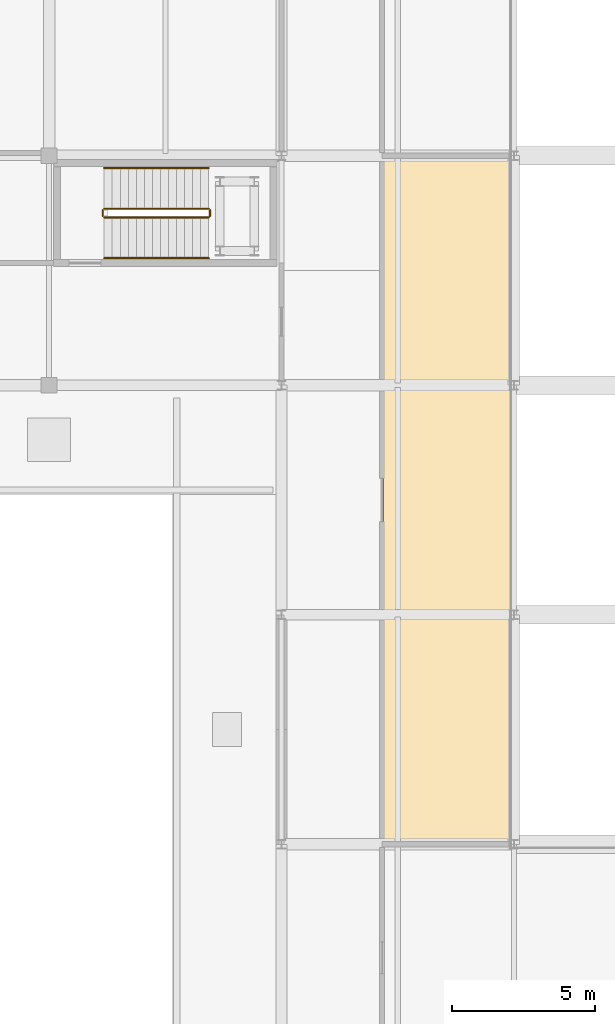
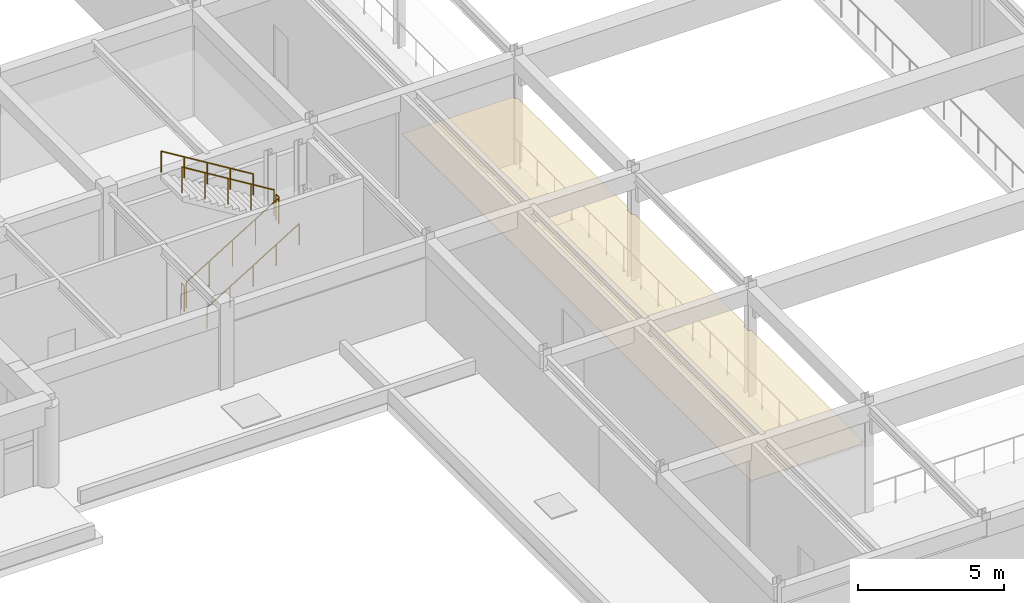
# One storey, part 60 of 61: 6 railings, 1 covering.
"""IFC4 building model written with IfcOpenShell, lengths in metres."""

from ifc_helpers import new_model, si_unit, direction, frame, origin, origin_2d, place, context, subcontext, project, spatial, polyline, circle, outline, extrude, material, layer, layer_set, type_object, element, save


model = new_model("IFC4")

# Units and contexts
model_context = context("Model", 3, precision=1e-05, world=origin(), true_north=direction((0.0, 1.0)))
body_context = subcontext(model_context, "Body", "Model", "MODEL_VIEW")
ifc_project = project(units=[si_unit("LENGTHUNIT", "METRE"), si_unit("AREAUNIT", "SQUARE_METRE"), si_unit("VOLUMEUNIT", "CUBIC_METRE"), si_unit("PLANEANGLEUNIT", "RADIAN"), si_unit("MASSUNIT", "GRAM", prefix="KILO")], contexts=[model_context])

# Site, building, storey
site_placement = place(None, origin())
site = spatial("IfcSite", under=ifc_project, at=site_placement, CompositionType="ELEMENT")
building_placement = place(site_placement, origin())
building = spatial("IfcBuilding", under=site, at=building_placement, Name="Tarnveldt Square Police Headquarters", CompositionType="ELEMENT")
storey_placement = place(building_placement, frame((0.0, 0.0, 5.39990234375)))
storey = spatial("IfcBuildingStorey", under=building, at=storey_placement, Name="L01", CompositionType="ELEMENT", Elevation=5.39990234375)

# Covering
ifc_material_1 = material(Name="Mineral-fibre acoustic ceiling tile", Category="gypsum")
ifc_layer = layer(ifc_material_1, 0.02001953125)
ifc_layer_set = layer_set([ifc_layer], Name="Mineral-fibre acoustic ceiling tile")
covering_type = type_object("IfcCoveringType", Name="COV-CEIL-20", PredefinedType="CEILING", material=ifc_layer_set)
covering_placement = place(storey_placement, frame((0.0, 0.0, 2.75)))
element("IfcCovering", 1, at=covering_placement, inside=storey, type_object=covering_type, Name="Officer Conditioning Gymnasium Acoustic Ceiling", PredefinedType="CEILING", context=body_context, shape_type="SweptSolid", body=[
    extrude(outline(polyline([(145.75, 8.16357421875), (145.6435546875, 8.16357421875), (145.6435546875, 8.050048828125), (141.25, 8.050048828125), (141.25, 31.949951171875), (145.6435546875, 31.949951171875), (145.6435546875, 31.83642578125), (145.75, 31.83642578125), (145.75, 24.16357421875), (145.6435546875, 24.16357421875), (145.6435546875, 23.83642578125), (145.75, 23.83642578125), (145.75, 16.16357421875), (145.6435546875, 16.16357421875), (145.6435546875, 15.83642578125), (145.75, 15.83642578125), (145.75, 8.16357421875)])), origin(), (0.0, 0.0, 1.0), 0.02001953125),
])

# Railings
ifc_material_2 = material(Name="Steel 350W", Category="steel")
railing_type_1 = type_object("IfcRailingType", Name="RL-GR-1100", PredefinedType="GUARDRAIL", material=ifc_material_2)
railing_1_placement = place(storey_placement, frame((131.52001953125, 29.85009765625, 0.171630859375)))
element("IfcRailing", 2, at=railing_1_placement, inside=storey, type_object=railing_type_1, Name="L01 ST7 stair guard 1", PredefinedType="GUARDRAIL", context=body_context, shape_type="SweptSolid", body=[
    extrude(circle(Radius=0.02392578125, at=origin_2d()), frame((0.0, 0.0, 1.076171875), z_axis=(0.852850264322, 0.0, 0.5221555579), x_axis=(0.0, 1.0, 0.0)), (0.0, 0.0, 1.0), 4.267822265625),
    extrude(circle(Radius=0.02099609375, at=origin_2d()), origin(), (0.0, 0.0, 1.0), 1.052001953125),
    extrude(circle(Radius=0.02099609375, at=origin_2d()), frame((0.909912109375, 0.0, 0.55712890625)), (0.0, 0.0, 1.0), 1.052001953125),
    extrude(circle(Radius=0.02099609375, at=origin_2d()), frame((1.81982421875, 0.0, 1.1142578125)), (0.0, 0.0, 1.0), 1.052001953125),
    extrude(circle(Radius=0.02099609375, at=origin_2d()), frame((2.72998046875, 0.0, 1.67138671875)), (0.0, 0.0, 1.0), 1.052001953125),
    extrude(circle(Radius=0.02099609375, at=origin_2d()), frame((3.639892578125, 0.0, 2.228515625)), (0.0, 0.0, 1.0), 1.052001953125),
])
railing_2_placement = place(storey_placement, frame((135.2099609375, 29.89990234375, 2.400146484375)))
element("IfcRailing", 3, at=railing_2_placement, inside=storey, type_object=railing_type_1, Name="L01 ST7 stair guard 2", PredefinedType="GUARDRAIL", context=body_context, shape_type="SweptSolid", body=[
    extrude(circle(Radius=0.02392578125, at=origin_2d()), frame((0.0, 0.0, 1.076171875), z_axis=(0.0, 1.0, 0.0), x_axis=(-1.0, 0.0, 0.0)), (0.0, 0.0, 1.0), 0.2001953125),
    extrude(circle(Radius=0.02099609375, at=origin_2d()), origin(), (0.0, 0.0, 1.0), 1.052001953125),
    extrude(circle(Radius=0.02099609375, at=origin_2d()), frame((0.0, 0.2001953125, 0.0)), (0.0, 0.0, 1.0), 1.052001953125),
])
railing_3_placement = place(storey_placement, frame((135.159912109375, 30.14990234375, 2.571533203125)))
element("IfcRailing", 4, at=railing_3_placement, inside=storey, type_object=railing_type_1, Name="L01 ST7 stair guard 3", PredefinedType="GUARDRAIL", context=body_context, shape_type="SweptSolid", body=[
    extrude(circle(Radius=0.02392578125, at=origin_2d()), frame((0.0, 0.0, 1.076171875), z_axis=(-0.852850264322, 0.0, 0.5221555579), x_axis=(0.0, -1.0, 0.0)), (0.0, 0.0, 1.0), 4.267822265625),
    extrude(circle(Radius=0.02099609375, at=origin_2d()), origin(), (0.0, 0.0, 1.0), 1.052001953125),
    extrude(circle(Radius=0.02099609375, at=origin_2d()), frame((-0.909912109375, 0.0, 0.55712890625)), (0.0, 0.0, 1.0), 1.052001953125),
    extrude(circle(Radius=0.02099609375, at=origin_2d()), frame((-1.81982421875, 0.0, 1.1142578125)), (0.0, 0.0, 1.0), 1.052001953125),
    extrude(circle(Radius=0.02099609375, at=origin_2d()), frame((-2.72998046875, 0.0, 1.67138671875)), (0.0, 0.0, 1.0), 1.052001953125),
    extrude(circle(Radius=0.02099609375, at=origin_2d()), frame((-3.639892578125, 0.0, 2.228515625)), (0.0, 0.0, 1.0), 1.052001953125),
])
railing_4_placement = place(storey_placement, frame((131.469970703125, 29.89990234375, 0.0)))
element("IfcRailing", 5, at=railing_4_placement, inside=storey, type_object=railing_type_1, Name="L01 ST7 stair guard 4", PredefinedType="GUARDRAIL", context=body_context, shape_type="SweptSolid", body=[
    extrude(circle(Radius=0.02392578125, at=origin_2d()), frame((0.0, 0.0, 1.076171875), z_axis=(0.0, 1.0, 0.0), x_axis=(-1.0, 0.0, 0.0)), (0.0, 0.0, 1.0), 0.2001953125),
    extrude(circle(Radius=0.02099609375, at=origin_2d()), origin(), (0.0, 0.0, 1.0), 1.052001953125),
    extrude(circle(Radius=0.02099609375, at=origin_2d()), frame((0.0, 0.2001953125, 0.0)), (0.0, 0.0, 1.0), 1.052001953125),
])
railing_type_2 = type_object("IfcRailingType", Name="RL-HR-900", PredefinedType="HANDRAIL", material=ifc_material_2)
railing_5_placement = place(storey_placement, frame((131.52001953125, 28.429931640625, 0.171630859375)))
element("IfcRailing", 6, at=railing_5_placement, inside=storey, type_object=railing_type_2, Name="L01 ST7 stair handrail 1", PredefinedType="HANDRAIL", context=body_context, shape_type="SweptSolid", body=[
    extrude(circle(Radius=0.02392578125, at=origin_2d()), frame((0.0, 0.0, 0.8759765625), z_axis=(0.852850264322, 0.0, 0.5221555579), x_axis=(0.0, 1.0, 0.0)), (0.0, 0.0, 1.0), 4.267822265625),
    extrude(circle(Radius=0.02099609375, at=origin_2d()), origin(), (0.0, 0.0, 1.0), 0.851806640625),
    extrude(circle(Radius=0.02099609375, at=origin_2d()), frame((0.909912109375, 0.0, 0.55712890625)), (0.0, 0.0, 1.0), 0.851806640625),
    extrude(circle(Radius=0.02099609375, at=origin_2d()), frame((1.81982421875, 0.0, 1.1142578125)), (0.0, 0.0, 1.0), 0.851806640625),
    extrude(circle(Radius=0.02099609375, at=origin_2d()), frame((2.72998046875, 0.0, 1.67138671875)), (0.0, 0.0, 1.0), 0.851806640625),
    extrude(circle(Radius=0.02099609375, at=origin_2d()), frame((3.639892578125, 0.0, 2.228515625)), (0.0, 0.0, 1.0), 0.851806640625),
])
railing_6_placement = place(storey_placement, frame((135.159912109375, 31.570068359375, 2.571533203125)))
element("IfcRailing", 7, at=railing_6_placement, inside=storey, type_object=railing_type_2, Name="L01 ST7 stair handrail 2", PredefinedType="HANDRAIL", context=body_context, shape_type="SweptSolid", body=[
    extrude(circle(Radius=0.02392578125, at=origin_2d()), frame((0.0, 0.0, 0.8759765625), z_axis=(-0.852850264322, 0.0, 0.5221555579), x_axis=(0.0, -1.0, 0.0)), (0.0, 0.0, 1.0), 4.267822265625),
    extrude(circle(Radius=0.02099609375, at=origin_2d()), origin(), (0.0, 0.0, 1.0), 0.851806640625),
    extrude(circle(Radius=0.02099609375, at=origin_2d()), frame((-0.909912109375, 0.0, 0.55712890625)), (0.0, 0.0, 1.0), 0.851806640625),
    extrude(circle(Radius=0.02099609375, at=origin_2d()), frame((-1.81982421875, 0.0, 1.1142578125)), (0.0, 0.0, 1.0), 0.851806640625),
    extrude(circle(Radius=0.02099609375, at=origin_2d()), frame((-2.72998046875, 0.0, 1.67138671875)), (0.0, 0.0, 1.0), 0.851806640625),
    extrude(circle(Radius=0.02099609375, at=origin_2d()), frame((-3.639892578125, 0.0, 2.228515625)), (0.0, 0.0, 1.0), 0.851806640625),
])

save(model, "model.ifc")
